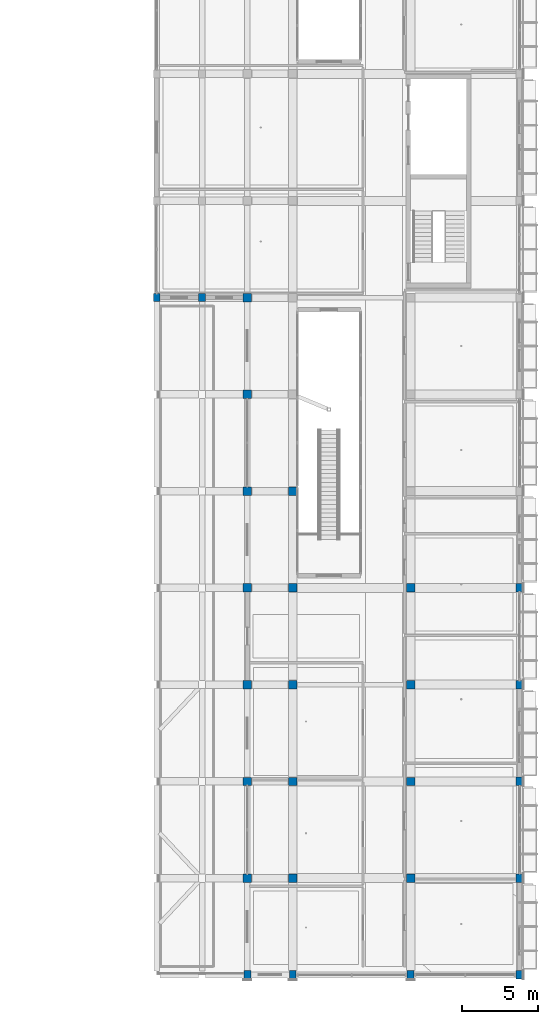
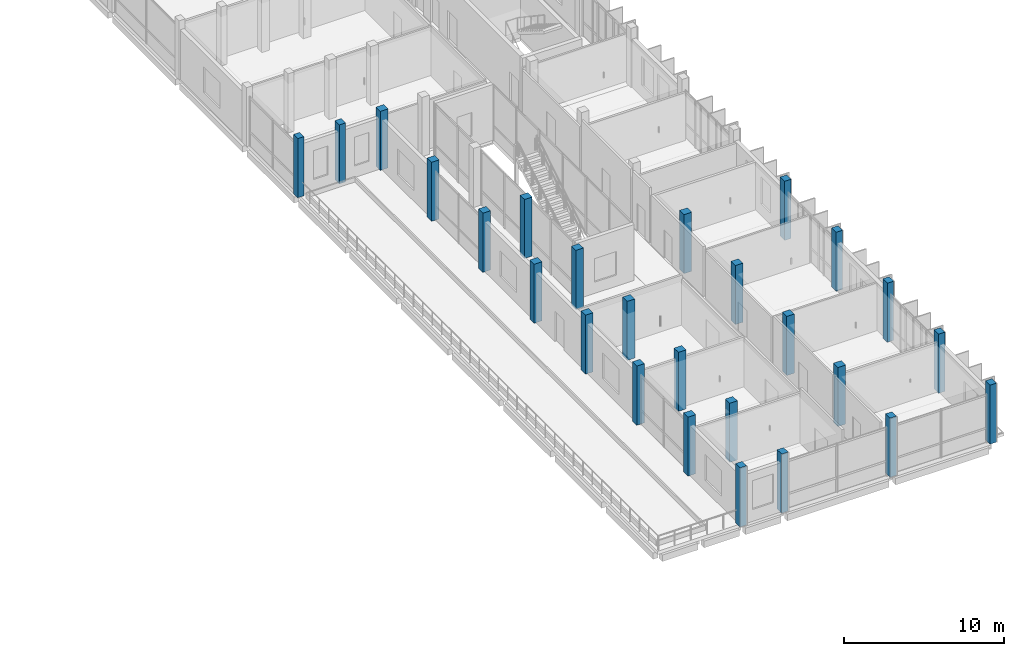
# One storey, part 13 of 95: 26 columns.
"""IFC4 building model written with IfcOpenShell, lengths in metres."""

from ifc_helpers import new_model, si_unit, derived_unit, direction, frame, origin, origin_2d, place, context, subcontext, project, spatial, rectangle, extrude, material, material_profile, profile_set, type_object, element, save


model = new_model("IFC4")

# Units and contexts
model_context = context("Model", 3, precision=1e-05, world=origin(), true_north=direction((0.0, 1.0)))
body_context = subcontext(model_context, "Body", "Model", "MODEL_VIEW")
ifc_project = project(units=[si_unit("LENGTHUNIT", "METRE"), si_unit("AREAUNIT", "SQUARE_METRE"), si_unit("VOLUMEUNIT", "CUBIC_METRE"), si_unit("PLANEANGLEUNIT", "RADIAN"), si_unit("MASSUNIT", "GRAM", prefix="KILO"), derived_unit("THERMALTRANSMITTANCEUNIT", [(si_unit("POWERUNIT", "WATT"), 1), (si_unit("LENGTHUNIT", "METRE"), -2), (si_unit("THERMODYNAMICTEMPERATUREUNIT", "KELVIN"), -1)])], contexts=[model_context])

# Site, building, storey
site_placement = place(None, origin())
site = spatial("IfcSite", under=ifc_project, at=site_placement, CompositionType="ELEMENT")
building_placement = place(site_placement, origin())
building = spatial("IfcBuilding", under=site, at=building_placement, Name="Braskholm Square Health Centre", CompositionType="ELEMENT")
storey_placement = place(building_placement, frame((0.0, 0.0, 4.800048828125)))
storey = spatial("IfcBuildingStorey", under=building, at=storey_placement, Name="L02", CompositionType="ELEMENT", Elevation=4.800048828125)

# Columns
ifc_material_1 = material(Name="Concrete C40/50 (f'c = 40 MPa)", Category="concrete")
ifc_material_profile_1 = material_profile(ifc_material_1, rectangle(XDim=0.550048828125, YDim=0.550048828125, at=origin_2d()), Name="RC-550X550")
ifc_profile_set_1 = profile_set([ifc_material_profile_1], Name="Concrete C40/50 (f'c = 40 MPa)")
column_type_1 = type_object("IfcColumnType", Name="ColInteriorMid550", PredefinedType="COLUMN", material=ifc_profile_set_1)
for number, where, z_axis, x_axis, name in (
    (1, (145.800048828125, 10.60009765625, 0.0), (0.0, 0.0, 1.0), (1.0, 0.0, 0.0), "Column 19/B L02"),
    (2, (145.800048828125, 17.0, 0.0), (0.0, 0.0, 1.0), (1.0, 0.0, 0.0), "Column 19/C L02"),
    (3, (145.800048828125, 23.39990234375, 0.0), (0.0, 0.0, 1.0), (1.0, 0.0, 0.0), "Column 19/D L02"),
    (4, (145.800048828125, 29.800048828125, 0.0), (0.0, 0.0, 1.0), (1.0, 0.0, 0.0), "Column 19/E L02"),
    (5, (145.800048828125, 36.199951171875, 0.0), (0.0, 0.0, 1.0), (1.0, 0.0, 0.0), "Column 19/F L02"),
    (6, (145.800048828125, 42.60009765625, 0.0), (0.0, 0.0, 1.0), (1.0, 0.0, 0.0), "Column 19/G L02"),
    (7, (145.800048828125, 49.0, 0.0), (0.0, 0.0, 1.0), (1.0, 0.0, 0.0), "Column 19/H L02"),
    (8, (148.800048828125, 10.60009765625, 0.0), (0.0, 0.0, 1.0), (1.0, 0.0, 0.0), "Column 20/B L02"),
    (9, (148.800048828125, 17.0, 0.0), (0.0, 0.0, 1.0), (1.0, 0.0, 0.0), "Column 20/C L02"),
    (10, (148.800048828125, 23.39990234375, 0.0), (0.0, 0.0, 1.0), (1.0, 0.0, 0.0), "Column 20/D L02"),
    (11, (148.800048828125, 29.800048828125, 0.0), (0.0, 0.0, 1.0), (1.0, 0.0, 0.0), "Column 20/E L02"),
    (12, (148.800048828125, 36.199951171875, 0.0), (0.0, 0.0, 1.0), (1.0, 0.0, 0.0), "Column 20/F L02"),
    (13, (156.60009765625, 10.60009765625, 0.0), (0.0, 0.0, 1.0), (1.0, 0.0, 0.0), "Column 21/B L02"),
    (14, (156.60009765625, 17.0, 0.0), (0.0, 0.0, 1.0), (1.0, 0.0, 0.0), "Column 21/C L02"),
    (15, (156.60009765625, 23.39990234375, 0.0), (0.0, 0.0, 1.0), (1.0, 0.0, 0.0), "Column 21/D L02"),
    (16, (156.60009765625, 29.800048828125, 0.0), (0.0, 0.0, 1.0), (1.0, 0.0, 0.0), "Column 21/E L02"),
):
    element("IfcColumn", number, at=place(storey_placement, frame(where, z_axis=z_axis, x_axis=x_axis)), inside=storey, type_object=column_type_1, Name=name, PredefinedType="COLUMN", context=body_context, shape_type="SweptSolid", body=[
        extrude(rectangle(XDim=0.550048828125, YDim=0.550048828125, at=origin_2d()), origin(), (0.0, 0.0, 1.0), 4.5),
    ])
ifc_material_2 = material(Name="Precast concrete C40/50 architectural white", Category="concrete")
ifc_material_profile_2 = material_profile(ifc_material_2, rectangle(XDim=0.43994140625, YDim=0.5400390625, at=origin_2d()), Name="RC-440X540")
ifc_profile_set_2 = profile_set([ifc_material_profile_2], Name="Precast concrete C40/50 architectural white")
column_type_2 = type_object("IfcColumnType", Name="ColPilasterKasota440x540", PredefinedType="PILASTER", material=ifc_profile_set_2)
for number, where, z_axis, x_axis, name in (
    (17, (139.800048828125, 49.0, 0.0), (0.0, 0.0, 1.0), (1.0, 0.0, 0.0), "Column 17/H L02"),
    (18, (142.800048828125, 49.0, 0.0), (0.0, 0.0, 1.0), (1.0, 0.0, 0.0), "Column 18/H L02"),
):
    element("IfcColumn", number, at=place(storey_placement, frame(where, z_axis=z_axis, x_axis=x_axis)), inside=storey, type_object=column_type_2, Name=name, PredefinedType="PILASTER", context=body_context, shape_type="SweptSolid", body=[
        extrude(rectangle(XDim=0.43994140625, YDim=0.5400390625, at=origin_2d()), origin(), (0.0, 0.0, 1.0), 4.5),
    ])
ifc_material_profile_3 = material_profile(ifc_material_2, rectangle(XDim=0.4599609375, YDim=0.56005859375, at=origin_2d()), Name="RC-460X560")
ifc_profile_set_3 = profile_set([ifc_material_profile_3], Name="Precast concrete C40/50 architectural white")
column_type_3 = type_object("IfcColumnType", Name="ColPrecastFrame460x560", PredefinedType="COLUMN", material=ifc_profile_set_3)
for number, where, z_axis, x_axis, name in (
    (19, (145.800048828125, 4.199951171875, 0.0), (0.0, 0.0, 1.0), (1.0, 0.0, 0.0), "Column 19/A L02"),
    (20, (148.800048828125, 4.199951171875, 0.0), (0.0, 0.0, 1.0), (1.0, 0.0, 0.0), "Column 20/A L02"),
    (21, (156.60009765625, 4.199951171875, 0.0), (0.0, 0.0, 1.0), (1.0, 0.0, 0.0), "Column 21/A L02"),
    (22, (163.800048828125, 4.199951171875, 0.0), (0.0, 0.0, 1.0), (1.0, 0.0, 0.0), "Column 22/A L02"),
    (23, (163.800048828125, 10.60009765625, 0.0), (0.0, 0.0, 1.0), (1.0, 0.0, 0.0), "Column 22/B L02"),
    (24, (163.800048828125, 17.0, 0.0), (0.0, 0.0, 1.0), (1.0, 0.0, 0.0), "Column 22/C L02"),
    (25, (163.800048828125, 23.39990234375, 0.0), (0.0, 0.0, 1.0), (1.0, 0.0, 0.0), "Column 22/D L02"),
    (26, (163.800048828125, 29.800048828125, 0.0), (0.0, 0.0, 1.0), (1.0, 0.0, 0.0), "Column 22/E L02"),
):
    element("IfcColumn", number, at=place(storey_placement, frame(where, z_axis=z_axis, x_axis=x_axis)), inside=storey, type_object=column_type_3, Name=name, PredefinedType="COLUMN", context=body_context, shape_type="SweptSolid", body=[
        extrude(rectangle(XDim=0.4599609375, YDim=0.56005859375, at=origin_2d()), origin(), (0.0, 0.0, 1.0), 4.5),
    ])

save(model, "model.ifc")
